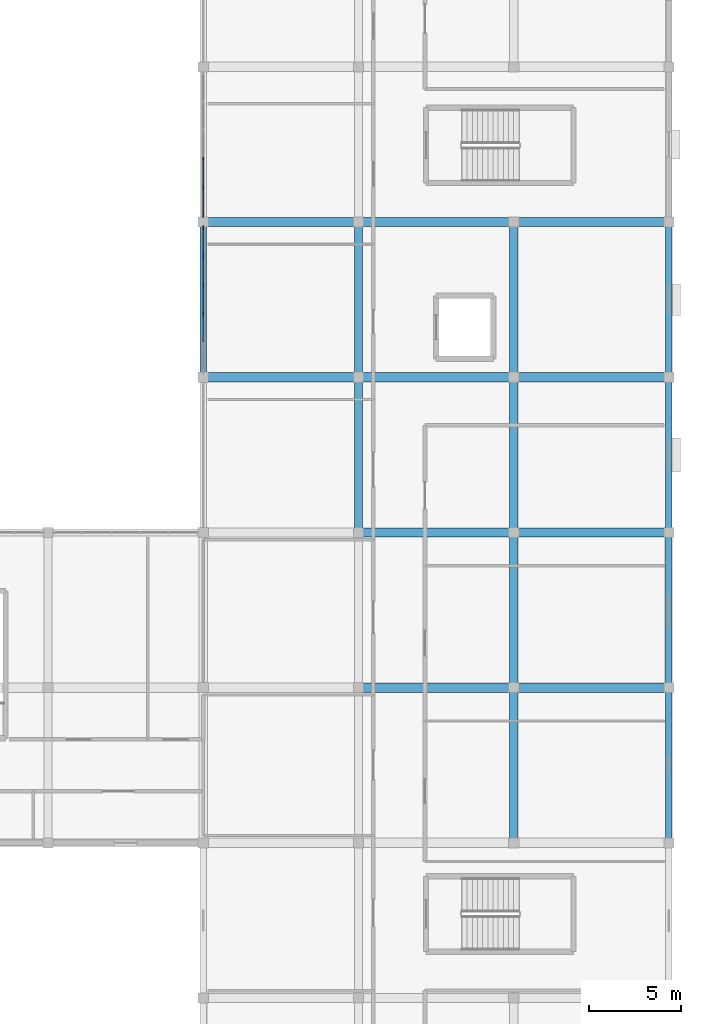
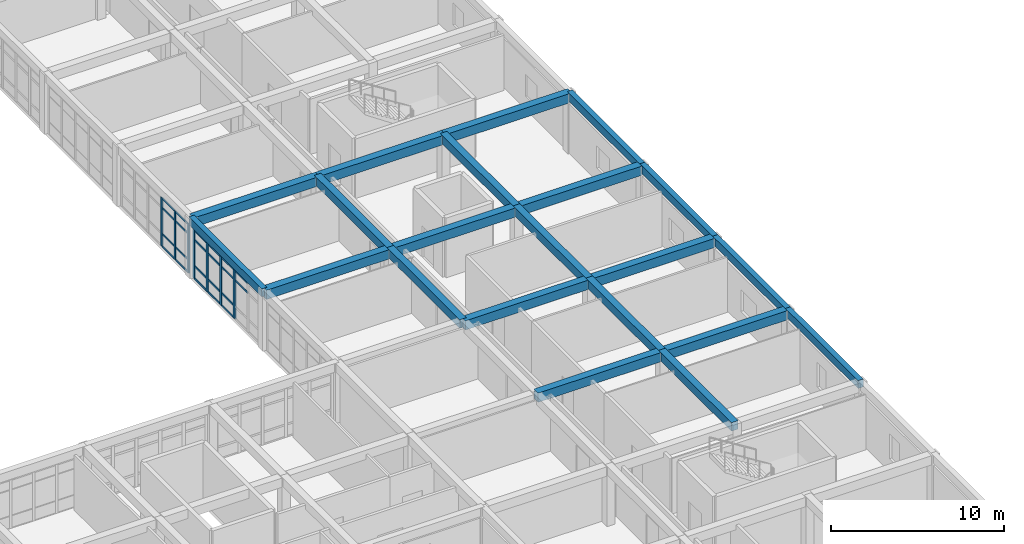
# One storey, part 27 of 77: 29 members, 21 beams, 2 elements without a shape of their own.
"""IFC4 building model written with IfcOpenShell, lengths in metres."""

from ifc_helpers import new_model, si_unit, direction, frame, origin, origin_2d, place, context, subcontext, project, spatial, rectangle, extrude, material, material_profile, profile_set, type_object, element, aggregate, save


model = new_model("IFC4")

# Units and contexts
model_context = context("Model", 3, precision=1e-05, world=origin(), true_north=direction((0.0, 1.0)))
body_context = subcontext(model_context, "Body", "Model", "MODEL_VIEW")
ifc_project = project(units=[si_unit("LENGTHUNIT", "METRE"), si_unit("AREAUNIT", "SQUARE_METRE"), si_unit("VOLUMEUNIT", "CUBIC_METRE"), si_unit("PLANEANGLEUNIT", "RADIAN"), si_unit("MASSUNIT", "GRAM", prefix="KILO")], contexts=[model_context])

# Site, building, storey
site_placement = place(None, origin())
site = spatial("IfcSite", under=ifc_project, at=site_placement, CompositionType="ELEMENT")
building_placement = place(site_placement, origin())
building = spatial("IfcBuilding", under=site, at=building_placement, Name="Varncliffe General Hospital", CompositionType="ELEMENT")
storey_placement = place(building_placement, frame((0.0, 0.0, 16.199951171875)))
storey = spatial("IfcBuildingStorey", under=building, at=storey_placement, Name="L03", CompositionType="ELEMENT", Elevation=16.199951171875)

# Beams
ifc_material_1 = material(Name="Concrete C35/45 (CSA A23.1 35 MPa)", Category="concrete")
ifc_material_profile_1 = material_profile(ifc_material_1, rectangle(XDim=0.5, YDim=0.64990234375, at=origin_2d()), Name="RC 500x650")
ifc_profile_set_1 = profile_set([ifc_material_profile_1], Name="Concrete C35/45 (CSA A23.1 35 MPa)")
beam_type_1 = type_object("IfcBeamType", Name="Beam B29 (Int RC 500x650)", PredefinedType="BEAM", material=ifc_profile_set_1)
for number, where, z_axis, x_axis, name in (
    (1, (159.60009765625, 32.39990234375, 3.875), (1.0, 0.0, 0.0), (0.0, 1.0, 0.0), "L03 Primary Beam B29-22"),
    (2, (168.0, 32.39990234375, 3.875), (1.0, 0.0, 0.0), (0.0, 1.0, 0.0), "L03 Primary Beam B29-23"),
    (3, (159.60009765625, 40.800048828125, 3.875), (1.0, 0.0, 0.0), (0.0, 1.0, 0.0), "L03 Primary Beam B29-32"),
    (4, (168.0, 40.800048828125, 3.875), (1.0, 0.0, 0.0), (0.0, 1.0, 0.0), "L03 Primary Beam B29-33"),
):
    element("IfcBeam", number, at=place(storey_placement, frame(where, z_axis=z_axis, x_axis=x_axis)), inside=storey, type_object=beam_type_1, Name=name, PredefinedType="BEAM", context=body_context, shape_type="SweptSolid", body=[
        extrude(rectangle(XDim=0.5, YDim=0.64990234375, at=origin_2d()), origin(), (0.0, 0.0, 1.0), 8.39990234375),
    ])
beam_1_placement = place(storey_placement, frame((151.199951171875, 49.199951171875, 3.875), z_axis=(1.0, 0.0, 0.0), x_axis=(0.0, 1.0, 0.0)))
element("IfcBeam", 5, at=beam_1_placement, inside=storey, type_object=beam_type_1, Name="L03 Primary Beam B29-37", PredefinedType="BEAM", context=body_context, shape_type="SweptSolid", body=[
    extrude(rectangle(XDim=0.5, YDim=0.64990234375, at=origin_2d()), origin(), (0.0, 0.0, 1.0), 8.400146484375),
])
for number, where, z_axis, x_axis, name in (
    (6, (159.60009765625, 49.199951171875, 3.875), (1.0, 0.0, 0.0), (0.0, 1.0, 0.0), "L03 Primary Beam B29-38"),
    (7, (168.0, 49.199951171875, 3.875), (1.0, 0.0, 0.0), (0.0, 1.0, 0.0), "L03 Primary Beam B29-39"),
):
    element("IfcBeam", number, at=place(storey_placement, frame(where, z_axis=z_axis, x_axis=x_axis)), inside=storey, type_object=beam_type_1, Name=name, PredefinedType="BEAM", context=body_context, shape_type="SweptSolid", body=[
        extrude(rectangle(XDim=0.5, YDim=0.64990234375, at=origin_2d()), origin(), (0.0, 0.0, 1.0), 8.39990234375),
    ])
beam_2_placement = place(storey_placement, frame((151.199951171875, 57.60009765625, 3.875), z_axis=(1.0, 0.0, 0.0), x_axis=(0.0, 1.0, 0.0)))
element("IfcBeam", 8, at=beam_2_placement, inside=storey, type_object=beam_type_1, Name="L03 Primary Beam B29-43", PredefinedType="BEAM", context=body_context, shape_type="SweptSolid", body=[
    extrude(rectangle(XDim=0.5, YDim=0.64990234375, at=origin_2d()), origin(), (0.0, 0.0, 1.0), 8.400146484375),
])
for number, where, z_axis, x_axis, name in (
    (9, (159.60009765625, 57.60009765625, 3.875), (1.0, 0.0, 0.0), (0.0, 1.0, 0.0), "L03 Primary Beam B29-44"),
    (10, (168.0, 57.60009765625, 3.875), (1.0, 0.0, 0.0), (0.0, 1.0, 0.0), "L03 Primary Beam B29-45"),
):
    element("IfcBeam", number, at=place(storey_placement, frame(where, z_axis=z_axis, x_axis=x_axis)), inside=storey, type_object=beam_type_1, Name=name, PredefinedType="BEAM", context=body_context, shape_type="SweptSolid", body=[
        extrude(rectangle(XDim=0.5, YDim=0.64990234375, at=origin_2d()), origin(), (0.0, 0.0, 1.0), 8.39990234375),
    ])
ifc_material_profile_2 = material_profile(ifc_material_1, rectangle(XDim=0.449951171875, YDim=0.60009765625, at=origin_2d()), Name="RC 450x600")
ifc_profile_set_2 = profile_set([ifc_material_profile_2], Name="Concrete C35/45 (CSA A23.1 35 MPa)")
beam_type_2 = type_object("IfcBeamType", Name="Beam B47 (Int RC 450x600)", PredefinedType="BEAM", material=ifc_profile_set_2)
beam_3_placement = place(storey_placement, frame((159.60009765625, 40.800048828125, 3.900146484375), z_axis=(0.0, 1.0, 0.0), x_axis=(-1.0, 0.0, 0.0)))
element("IfcBeam", 11, at=beam_3_placement, inside=storey, type_object=beam_type_2, Name="L03 Primary Beam B47-385", PredefinedType="BEAM", context=body_context, shape_type="SweptSolid", body=[
    extrude(rectangle(XDim=0.449951171875, YDim=0.60009765625, at=origin_2d()), origin(), (0.0, 0.0, 1.0), 8.39990234375),
])
beam_4_placement = place(storey_placement, frame((159.60009765625, 49.199951171875, 3.900146484375), z_axis=(0.0, 1.0, 0.0), x_axis=(-1.0, 0.0, 0.0)))
element("IfcBeam", 12, at=beam_4_placement, inside=storey, type_object=beam_type_2, Name="L03 Primary Beam B47-386", PredefinedType="BEAM", context=body_context, shape_type="SweptSolid", body=[
    extrude(rectangle(XDim=0.449951171875, YDim=0.60009765625, at=origin_2d()), origin(), (0.0, 0.0, 1.0), 8.400146484375),
])
beam_5_placement = place(storey_placement, frame((168.0, 24.0, 3.900146484375), z_axis=(0.0, 1.0, 0.0), x_axis=(-1.0, 0.0, 0.0)))
element("IfcBeam", 13, at=beam_5_placement, inside=storey, type_object=beam_type_2, Name="L03 Primary Beam B47-399", PredefinedType="BEAM", context=body_context, shape_type="SweptSolid", body=[
    extrude(rectangle(XDim=0.449951171875, YDim=0.60009765625, at=origin_2d()), origin(), (0.0, 0.0, 1.0), 8.39990234375),
])
beam_6_placement = place(storey_placement, frame((168.0, 32.39990234375, 3.900146484375), z_axis=(0.0, 1.0, 0.0), x_axis=(-1.0, 0.0, 0.0)))
element("IfcBeam", 14, at=beam_6_placement, inside=storey, type_object=beam_type_2, Name="L03 Primary Beam B47-400", PredefinedType="BEAM", context=body_context, shape_type="SweptSolid", body=[
    extrude(rectangle(XDim=0.449951171875, YDim=0.60009765625, at=origin_2d()), origin(), (0.0, 0.0, 1.0), 8.400146484375),
])
beam_7_placement = place(storey_placement, frame((168.0, 40.800048828125, 3.900146484375), z_axis=(0.0, 1.0, 0.0), x_axis=(-1.0, 0.0, 0.0)))
element("IfcBeam", 15, at=beam_7_placement, inside=storey, type_object=beam_type_2, Name="L03 Primary Beam B47-401", PredefinedType="BEAM", context=body_context, shape_type="SweptSolid", body=[
    extrude(rectangle(XDim=0.449951171875, YDim=0.60009765625, at=origin_2d()), origin(), (0.0, 0.0, 1.0), 8.39990234375),
])
beam_8_placement = place(storey_placement, frame((168.0, 49.199951171875, 3.900146484375), z_axis=(0.0, 1.0, 0.0), x_axis=(-1.0, 0.0, 0.0)))
element("IfcBeam", 16, at=beam_8_placement, inside=storey, type_object=beam_type_2, Name="L03 Primary Beam B47-402", PredefinedType="BEAM", context=body_context, shape_type="SweptSolid", body=[
    extrude(rectangle(XDim=0.449951171875, YDim=0.60009765625, at=origin_2d()), origin(), (0.0, 0.0, 1.0), 8.400146484375),
])

# Curtain wall, members
ifc_material_2 = material(Name="Triple low-E argon insulated vision glazing", Category="glass")
curtain_wall_type_1 = type_object("IfcCurtainWallType", Name="Unitised Glazed Curtain Wall CW23 (7774x3440)", PredefinedType="USERDEFINED", material=ifc_material_2)
curtain_wall_1_placement = place(storey_placement, origin())
curtain_wall_1 = element("IfcCurtainWall", 17, at=curtain_wall_1_placement, inside=storey, type_object=curtain_wall_type_1, Name="L03 Glazed Curtain Wall CW23-166", ObjectType="GLAZED CURTAIN WALL", PredefinedType="USERDEFINED")
ifc_material_3 = material(Name="Dark bronze thermally broken aluminium framing", Category="aluminium")
ifc_material_profile_3 = material_profile(ifc_material_3, rectangle(XDim=0.074951171875, YDim=0.179931640625, at=origin_2d()), Name="ALU 75x180")
ifc_profile_set_3 = profile_set([ifc_material_profile_3], Name="Dark bronze thermally broken aluminium framing")
member_type_1 = type_object("IfcMemberType", Name="Curtain Wall Mullion CM44 (ALU 75x180)", PredefinedType="MULLION", material=ifc_profile_set_3)
member_1_placement = place(storey_placement, frame((151.199951171875, 57.950439453125, 0.0), z_axis=(0.0, 0.0, 1.0), x_axis=(-1.0, 0.0, 0.0)))
member_1 = element("IfcMember", 18, at=member_1_placement, type_object=member_type_1, Name="CW23 mullion 1", PredefinedType="MULLION", context=body_context, shape_type="SweptSolid", body=[
    extrude(rectangle(XDim=0.074951171875, YDim=0.179931640625, at=origin_2d()), origin(), (0.0, 0.0, 1.0), 3.43994140625),
])
member_2_placement = place(storey_placement, frame((151.199951171875, 59.4677734375, 0.0), z_axis=(0.0, 0.0, 1.0), x_axis=(-1.0, 0.0, 0.0)))
member_2 = element("IfcMember", 19, at=member_2_placement, type_object=member_type_1, Name="CW23 mullion 2", PredefinedType="MULLION", context=body_context, shape_type="SweptSolid", body=[
    extrude(rectangle(XDim=0.074951171875, YDim=0.179931640625, at=origin_2d()), origin(), (0.0, 0.0, 1.0), 3.43994140625),
])
member_3_placement = place(storey_placement, frame((151.199951171875, 61.022705078125, 0.0), z_axis=(0.0, 0.0, 1.0), x_axis=(-1.0, 0.0, 0.0)))
member_3 = element("IfcMember", 20, at=member_3_placement, type_object=member_type_1, Name="CW23 mullion 3", PredefinedType="MULLION", context=body_context, shape_type="SweptSolid", body=[
    extrude(rectangle(XDim=0.074951171875, YDim=0.179931640625, at=origin_2d()), origin(), (0.0, 0.0, 1.0), 3.43994140625),
])

curtain_wall_type_2 = type_object("IfcCurtainWallType", Name="Unitised Glazed Curtain Wall CW83 (7854x3440)", PredefinedType="USERDEFINED", material=ifc_material_2)
curtain_wall_2_placement = place(storey_placement, origin())
curtain_wall_2 = element("IfcCurtainWall", 21, at=curtain_wall_2_placement, inside=storey, type_object=curtain_wall_type_2, Name="L03 Glazed Curtain Wall CW83-165", ObjectType="GLAZED CURTAIN WALL", PredefinedType="USERDEFINED")
ifc_material_profile_4 = material_profile(ifc_material_3, rectangle(XDim=0.074951171875, YDim=0.219970703125, at=origin_2d()), Name="ALU 75x220")
ifc_profile_set_4 = profile_set([ifc_material_profile_4], Name="Dark bronze thermally broken aluminium framing")
member_type_2 = type_object("IfcMemberType", Name="Curtain Wall Mullion CM74 (ALU 75x220)", PredefinedType="MULLION", material=ifc_profile_set_4)
member_4_placement = place(storey_placement, frame((151.199951171875, 52.614501953125, 0.0), z_axis=(0.0, 0.0, 1.0), x_axis=(-1.0, 0.0, 0.0)))
member_4 = element("IfcMember", 22, at=member_4_placement, type_object=member_type_2, Name="CW83 mullion 3", PredefinedType="MULLION", context=body_context, shape_type="SweptSolid", body=[
    extrude(rectangle(XDim=0.074951171875, YDim=0.219970703125, at=origin_2d()), origin(), (0.0, 0.0, 1.0), 3.43994140625),
])
member_5_placement = place(storey_placement, frame((151.199951171875, 54.185302734375, 0.0), z_axis=(0.0, 0.0, 1.0), x_axis=(-1.0, 0.0, 0.0)))
member_5 = element("IfcMember", 23, at=member_5_placement, type_object=member_type_2, Name="CW83 mullion 4", PredefinedType="MULLION", context=body_context, shape_type="SweptSolid", body=[
    extrude(rectangle(XDim=0.074951171875, YDim=0.219970703125, at=origin_2d()), origin(), (0.0, 0.0, 1.0), 3.43994140625),
])
member_6_placement = place(storey_placement, frame((151.199951171875, 55.756103515625, 0.0), z_axis=(0.0, 0.0, 1.0), x_axis=(-1.0, 0.0, 0.0)))
member_6 = element("IfcMember", 24, at=member_6_placement, type_object=member_type_2, Name="CW83 mullion 5", PredefinedType="MULLION", context=body_context, shape_type="SweptSolid", body=[
    extrude(rectangle(XDim=0.074951171875, YDim=0.219970703125, at=origin_2d()), origin(), (0.0, 0.0, 1.0), 3.43994140625),
])
member_7_placement = place(storey_placement, frame((151.199951171875, 57.28955078125, 0.0), z_axis=(0.0, 0.0, 1.0), x_axis=(-1.0, 0.0, 0.0)))
member_7 = element("IfcMember", 25, at=member_7_placement, type_object=member_type_2, Name="CW83 mullion 6", PredefinedType="MULLION", context=body_context, shape_type="SweptSolid", body=[
    extrude(rectangle(XDim=0.074951171875, YDim=0.219970703125, at=origin_2d()), origin(), (0.0, 0.0, 1.0), 3.43994140625),
])

# Member
ifc_material_profile_5 = material_profile(ifc_material_3, rectangle(XDim=0.06005859375, YDim=0.1201171875, at=origin_2d()), Name="ALU 60x120")
ifc_profile_set_5 = profile_set([ifc_material_profile_5], Name="Dark bronze thermally broken aluminium framing")
member_type_3 = type_object("IfcMemberType", Name="Curtain Wall Transom CT14 (ALU 60x120)", PredefinedType="USERDEFINED", material=ifc_profile_set_5)
member_8_placement = place(storey_placement, frame((151.199951171875, 57.988037109375, 0.030029296875), z_axis=(0.0, 1.0, 0.0), x_axis=(-1.0, 0.0, 0.0)))
member_8 = element("IfcMember", 26, at=member_8_placement, type_object=member_type_3, Name="CW23 transom 1.1", ObjectType="TRANSOM", PredefinedType="USERDEFINED", context=body_context, shape_type="SweptSolid", body=[
    extrude(rectangle(XDim=0.06005859375, YDim=0.1201171875, at=origin_2d()), origin(), (0.0, 0.0, 1.0), 1.4423828125),
])

member_9_placement = place(storey_placement, frame((151.199951171875, 57.988037109375, 0.900146484375), z_axis=(0.0, 1.0, 0.0), x_axis=(-1.0, 0.0, 0.0)))
member_9 = element("IfcMember", 27, at=member_9_placement, type_object=member_type_3, Name="CW23 transom 1.2", ObjectType="TRANSOM", PredefinedType="USERDEFINED", context=body_context, shape_type="SweptSolid", body=[
    extrude(rectangle(XDim=0.06005859375, YDim=0.1201171875, at=origin_2d()), origin(), (0.0, 0.0, 1.0), 1.4423828125),
])

member_10_placement = place(storey_placement, frame((151.199951171875, 57.988037109375, 2.739990234375), z_axis=(0.0, 1.0, 0.0), x_axis=(-1.0, 0.0, 0.0)))
member_10 = element("IfcMember", 28, at=member_10_placement, type_object=member_type_3, Name="CW23 transom 1.3", ObjectType="TRANSOM", PredefinedType="USERDEFINED", context=body_context, shape_type="SweptSolid", body=[
    extrude(rectangle(XDim=0.06005859375, YDim=0.1201171875, at=origin_2d()), origin(), (0.0, 0.0, 1.0), 1.4423828125),
])

member_11_placement = place(storey_placement, frame((151.199951171875, 57.988037109375, 3.41015625), z_axis=(0.0, 1.0, 0.0), x_axis=(-1.0, 0.0, 0.0)))
member_11 = element("IfcMember", 29, at=member_11_placement, type_object=member_type_3, Name="CW23 transom 1.4", ObjectType="TRANSOM", PredefinedType="USERDEFINED", context=body_context, shape_type="SweptSolid", body=[
    extrude(rectangle(XDim=0.06005859375, YDim=0.1201171875, at=origin_2d()), origin(), (0.0, 0.0, 1.0), 1.4423828125),
])

member_12_placement = place(storey_placement, frame((151.199951171875, 59.50537109375, 0.030029296875), z_axis=(0.0, 1.0, 0.0), x_axis=(-1.0, 0.0, 0.0)))
member_12 = element("IfcMember", 30, at=member_12_placement, type_object=member_type_3, Name="CW23 transom 2.1", ObjectType="TRANSOM", PredefinedType="USERDEFINED", context=body_context, shape_type="SweptSolid", body=[
    extrude(rectangle(XDim=0.06005859375, YDim=0.1201171875, at=origin_2d()), origin(), (0.0, 0.0, 1.0), 1.479736328125),
])

member_13_placement = place(storey_placement, frame((151.199951171875, 59.50537109375, 0.900146484375), z_axis=(0.0, 1.0, 0.0), x_axis=(-1.0, 0.0, 0.0)))
member_13 = element("IfcMember", 31, at=member_13_placement, type_object=member_type_3, Name="CW23 transom 2.2", ObjectType="TRANSOM", PredefinedType="USERDEFINED", context=body_context, shape_type="SweptSolid", body=[
    extrude(rectangle(XDim=0.06005859375, YDim=0.1201171875, at=origin_2d()), origin(), (0.0, 0.0, 1.0), 1.479736328125),
])

member_14_placement = place(storey_placement, frame((151.199951171875, 59.50537109375, 2.739990234375), z_axis=(0.0, 1.0, 0.0), x_axis=(-1.0, 0.0, 0.0)))
member_14 = element("IfcMember", 32, at=member_14_placement, type_object=member_type_3, Name="CW23 transom 2.3", ObjectType="TRANSOM", PredefinedType="USERDEFINED", context=body_context, shape_type="SweptSolid", body=[
    extrude(rectangle(XDim=0.06005859375, YDim=0.1201171875, at=origin_2d()), origin(), (0.0, 0.0, 1.0), 1.479736328125),
])

member_15_placement = place(storey_placement, frame((151.199951171875, 59.50537109375, 3.41015625), z_axis=(0.0, 1.0, 0.0), x_axis=(-1.0, 0.0, 0.0)))
member_15 = element("IfcMember", 33, at=member_15_placement, type_object=member_type_3, Name="CW23 transom 2.4", ObjectType="TRANSOM", PredefinedType="USERDEFINED", context=body_context, shape_type="SweptSolid", body=[
    extrude(rectangle(XDim=0.06005859375, YDim=0.1201171875, at=origin_2d()), origin(), (0.0, 0.0, 1.0), 1.479736328125),
])

aggregate(curtain_wall_1, [member_1, member_2, member_3, member_8, member_9, member_10, member_11, member_12, member_13, member_14, member_15])

ifc_material_profile_6 = material_profile(ifc_material_3, rectangle(XDim=0.06494140625, YDim=0.139892578125, at=origin_2d()), Name="ALU 65x140")
ifc_profile_set_6 = profile_set([ifc_material_profile_6], Name="Dark bronze thermally broken aluminium framing")
member_type_4 = type_object("IfcMemberType", Name="Curtain Wall Transom CT69 (ALU 65x140)", PredefinedType="USERDEFINED", material=ifc_profile_set_6)
member_16_placement = place(storey_placement, frame((151.199951171875, 51.081298828125, 2.739990234375), z_axis=(0.0, 1.0, 0.0), x_axis=(-1.0, 0.0, 0.0)))
member_16 = element("IfcMember", 34, at=member_16_placement, type_object=member_type_4, Name="CW83 transom 2.3", ObjectType="TRANSOM", PredefinedType="USERDEFINED", context=body_context, shape_type="SweptSolid", body=[
    extrude(rectangle(XDim=0.06494140625, YDim=0.139892578125, at=origin_2d()), origin(), (0.0, 0.0, 1.0), 1.495849609375),
])

member_17_placement = place(storey_placement, frame((151.199951171875, 51.081298828125, 3.407470703125), z_axis=(0.0, 1.0, 0.0), x_axis=(-1.0, 0.0, 0.0)))
member_17 = element("IfcMember", 35, at=member_17_placement, type_object=member_type_4, Name="CW83 transom 2.4", ObjectType="TRANSOM", PredefinedType="USERDEFINED", context=body_context, shape_type="SweptSolid", body=[
    extrude(rectangle(XDim=0.06494140625, YDim=0.139892578125, at=origin_2d()), origin(), (0.0, 0.0, 1.0), 1.495849609375),
])

member_18_placement = place(storey_placement, frame((151.199951171875, 52.652099609375, 0.032470703125), z_axis=(0.0, 1.0, 0.0), x_axis=(-1.0, 0.0, 0.0)))
member_18 = element("IfcMember", 36, at=member_18_placement, type_object=member_type_4, Name="CW83 transom 3.1", ObjectType="TRANSOM", PredefinedType="USERDEFINED", context=body_context, shape_type="SweptSolid", body=[
    extrude(rectangle(XDim=0.06494140625, YDim=0.139892578125, at=origin_2d()), origin(), (0.0, 0.0, 1.0), 1.495849609375),
])

member_19_placement = place(storey_placement, frame((151.199951171875, 52.652099609375, 0.900146484375), z_axis=(0.0, 1.0, 0.0), x_axis=(-1.0, 0.0, 0.0)))
member_19 = element("IfcMember", 37, at=member_19_placement, type_object=member_type_4, Name="CW83 transom 3.2", ObjectType="TRANSOM", PredefinedType="USERDEFINED", context=body_context, shape_type="SweptSolid", body=[
    extrude(rectangle(XDim=0.06494140625, YDim=0.139892578125, at=origin_2d()), origin(), (0.0, 0.0, 1.0), 1.495849609375),
])

member_20_placement = place(storey_placement, frame((151.199951171875, 52.652099609375, 2.739990234375), z_axis=(0.0, 1.0, 0.0), x_axis=(-1.0, 0.0, 0.0)))
member_20 = element("IfcMember", 38, at=member_20_placement, type_object=member_type_4, Name="CW83 transom 3.3", ObjectType="TRANSOM", PredefinedType="USERDEFINED", context=body_context, shape_type="SweptSolid", body=[
    extrude(rectangle(XDim=0.06494140625, YDim=0.139892578125, at=origin_2d()), origin(), (0.0, 0.0, 1.0), 1.495849609375),
])

member_21_placement = place(storey_placement, frame((151.199951171875, 52.652099609375, 3.407470703125), z_axis=(0.0, 1.0, 0.0), x_axis=(-1.0, 0.0, 0.0)))
member_21 = element("IfcMember", 39, at=member_21_placement, type_object=member_type_4, Name="CW83 transom 3.4", ObjectType="TRANSOM", PredefinedType="USERDEFINED", context=body_context, shape_type="SweptSolid", body=[
    extrude(rectangle(XDim=0.06494140625, YDim=0.139892578125, at=origin_2d()), origin(), (0.0, 0.0, 1.0), 1.495849609375),
])

member_22_placement = place(storey_placement, frame((151.199951171875, 54.222900390625, 0.032470703125), z_axis=(0.0, 1.0, 0.0), x_axis=(-1.0, 0.0, 0.0)))
member_22 = element("IfcMember", 40, at=member_22_placement, type_object=member_type_4, Name="CW83 transom 4.1", ObjectType="TRANSOM", PredefinedType="USERDEFINED", context=body_context, shape_type="SweptSolid", body=[
    extrude(rectangle(XDim=0.06494140625, YDim=0.139892578125, at=origin_2d()), origin(), (0.0, 0.0, 1.0), 1.495849609375),
])

member_23_placement = place(storey_placement, frame((151.199951171875, 54.222900390625, 0.900146484375), z_axis=(0.0, 1.0, 0.0), x_axis=(-1.0, 0.0, 0.0)))
member_23 = element("IfcMember", 41, at=member_23_placement, type_object=member_type_4, Name="CW83 transom 4.2", ObjectType="TRANSOM", PredefinedType="USERDEFINED", context=body_context, shape_type="SweptSolid", body=[
    extrude(rectangle(XDim=0.06494140625, YDim=0.139892578125, at=origin_2d()), origin(), (0.0, 0.0, 1.0), 1.495849609375),
])

member_24_placement = place(storey_placement, frame((151.199951171875, 54.222900390625, 2.739990234375), z_axis=(0.0, 1.0, 0.0), x_axis=(-1.0, 0.0, 0.0)))
member_24 = element("IfcMember", 42, at=member_24_placement, type_object=member_type_4, Name="CW83 transom 4.3", ObjectType="TRANSOM", PredefinedType="USERDEFINED", context=body_context, shape_type="SweptSolid", body=[
    extrude(rectangle(XDim=0.06494140625, YDim=0.139892578125, at=origin_2d()), origin(), (0.0, 0.0, 1.0), 1.495849609375),
])

member_25_placement = place(storey_placement, frame((151.199951171875, 54.222900390625, 3.407470703125), z_axis=(0.0, 1.0, 0.0), x_axis=(-1.0, 0.0, 0.0)))
member_25 = element("IfcMember", 43, at=member_25_placement, type_object=member_type_4, Name="CW83 transom 4.4", ObjectType="TRANSOM", PredefinedType="USERDEFINED", context=body_context, shape_type="SweptSolid", body=[
    extrude(rectangle(XDim=0.06494140625, YDim=0.139892578125, at=origin_2d()), origin(), (0.0, 0.0, 1.0), 1.495849609375),
])

member_26_placement = place(storey_placement, frame((151.199951171875, 55.793701171875, 0.032470703125), z_axis=(0.0, 1.0, 0.0), x_axis=(-1.0, 0.0, 0.0)))
member_26 = element("IfcMember", 44, at=member_26_placement, type_object=member_type_4, Name="CW83 transom 5.1", ObjectType="TRANSOM", PredefinedType="USERDEFINED", context=body_context, shape_type="SweptSolid", body=[
    extrude(rectangle(XDim=0.06494140625, YDim=0.139892578125, at=origin_2d()), origin(), (0.0, 0.0, 1.0), 1.458251953125),
])

member_27_placement = place(storey_placement, frame((151.199951171875, 55.793701171875, 0.900146484375), z_axis=(0.0, 1.0, 0.0), x_axis=(-1.0, 0.0, 0.0)))
member_27 = element("IfcMember", 45, at=member_27_placement, type_object=member_type_4, Name="CW83 transom 5.2", ObjectType="TRANSOM", PredefinedType="USERDEFINED", context=body_context, shape_type="SweptSolid", body=[
    extrude(rectangle(XDim=0.06494140625, YDim=0.139892578125, at=origin_2d()), origin(), (0.0, 0.0, 1.0), 1.458251953125),
])

member_28_placement = place(storey_placement, frame((151.199951171875, 55.793701171875, 2.739990234375), z_axis=(0.0, 1.0, 0.0), x_axis=(-1.0, 0.0, 0.0)))
member_28 = element("IfcMember", 46, at=member_28_placement, type_object=member_type_4, Name="CW83 transom 5.3", ObjectType="TRANSOM", PredefinedType="USERDEFINED", context=body_context, shape_type="SweptSolid", body=[
    extrude(rectangle(XDim=0.06494140625, YDim=0.139892578125, at=origin_2d()), origin(), (0.0, 0.0, 1.0), 1.458251953125),
])

member_29_placement = place(storey_placement, frame((151.199951171875, 55.793701171875, 3.407470703125), z_axis=(0.0, 1.0, 0.0), x_axis=(-1.0, 0.0, 0.0)))
member_29 = element("IfcMember", 47, at=member_29_placement, type_object=member_type_4, Name="CW83 transom 5.4", ObjectType="TRANSOM", PredefinedType="USERDEFINED", context=body_context, shape_type="SweptSolid", body=[
    extrude(rectangle(XDim=0.06494140625, YDim=0.139892578125, at=origin_2d()), origin(), (0.0, 0.0, 1.0), 1.458251953125),
])

aggregate(curtain_wall_2, [member_4, member_5, member_6, member_7, member_16, member_17, member_18, member_19, member_20, member_21, member_22, member_23, member_24, member_25, member_26, member_27, member_28, member_29])

# Beams
ifc_material_profile_7 = material_profile(ifc_material_1, rectangle(XDim=0.35009765625, YDim=0.550048828125, at=origin_2d()), Name="RC 350x550")
ifc_profile_set_7 = profile_set([ifc_material_profile_7], Name="Concrete C35/45 (CSA A23.1 35 MPa)")
beam_type_3 = type_object("IfcBeamType", Name="Spandrel SP20 (Ext RC 350x550)", PredefinedType="SPANDREL", material=ifc_profile_set_7)
beam_9_placement = place(storey_placement, frame((151.199951171875, 49.199951171875, 3.925048828125), z_axis=(0.0, 1.0, 0.0), x_axis=(-1.0, 0.0, 0.0)))
element("IfcBeam", 48, at=beam_9_placement, inside=storey, type_object=beam_type_3, Name="L03 Spandrel Beam SP20-369", PredefinedType="SPANDREL", context=body_context, shape_type="SweptSolid", body=[
    extrude(rectangle(XDim=0.35009765625, YDim=0.550048828125, at=origin_2d()), origin(), (0.0, 0.0, 1.0), 8.400146484375),
])
beam_10_placement = place(storey_placement, frame((176.39990234375, 24.0, 3.925048828125), z_axis=(0.0, 1.0, 0.0), x_axis=(-1.0, 0.0, 0.0)))
element("IfcBeam", 49, at=beam_10_placement, inside=storey, type_object=beam_type_3, Name="L03 Spandrel Beam SP20-415", PredefinedType="SPANDREL", context=body_context, shape_type="SweptSolid", body=[
    extrude(rectangle(XDim=0.35009765625, YDim=0.550048828125, at=origin_2d()), origin(), (0.0, 0.0, 1.0), 8.39990234375),
])
beam_11_placement = place(storey_placement, frame((176.39990234375, 32.39990234375, 3.925048828125), z_axis=(0.0, 1.0, 0.0), x_axis=(-1.0, 0.0, 0.0)))
element("IfcBeam", 50, at=beam_11_placement, inside=storey, type_object=beam_type_3, Name="L03 Spandrel Beam SP20-416", PredefinedType="SPANDREL", context=body_context, shape_type="SweptSolid", body=[
    extrude(rectangle(XDim=0.35009765625, YDim=0.550048828125, at=origin_2d()), origin(), (0.0, 0.0, 1.0), 8.400146484375),
])
beam_12_placement = place(storey_placement, frame((176.39990234375, 40.800048828125, 3.925048828125), z_axis=(0.0, 1.0, 0.0), x_axis=(-1.0, 0.0, 0.0)))
element("IfcBeam", 51, at=beam_12_placement, inside=storey, type_object=beam_type_3, Name="L03 Spandrel Beam SP20-417", PredefinedType="SPANDREL", context=body_context, shape_type="SweptSolid", body=[
    extrude(rectangle(XDim=0.35009765625, YDim=0.550048828125, at=origin_2d()), origin(), (0.0, 0.0, 1.0), 8.39990234375),
])
beam_13_placement = place(storey_placement, frame((176.39990234375, 49.199951171875, 3.925048828125), z_axis=(0.0, 1.0, 0.0), x_axis=(-1.0, 0.0, 0.0)))
element("IfcBeam", 52, at=beam_13_placement, inside=storey, type_object=beam_type_3, Name="L03 Spandrel Beam SP20-418", PredefinedType="SPANDREL", context=body_context, shape_type="SweptSolid", body=[
    extrude(rectangle(XDim=0.35009765625, YDim=0.550048828125, at=origin_2d()), origin(), (0.0, 0.0, 1.0), 8.400146484375),
])

save(model, "model.ifc")
